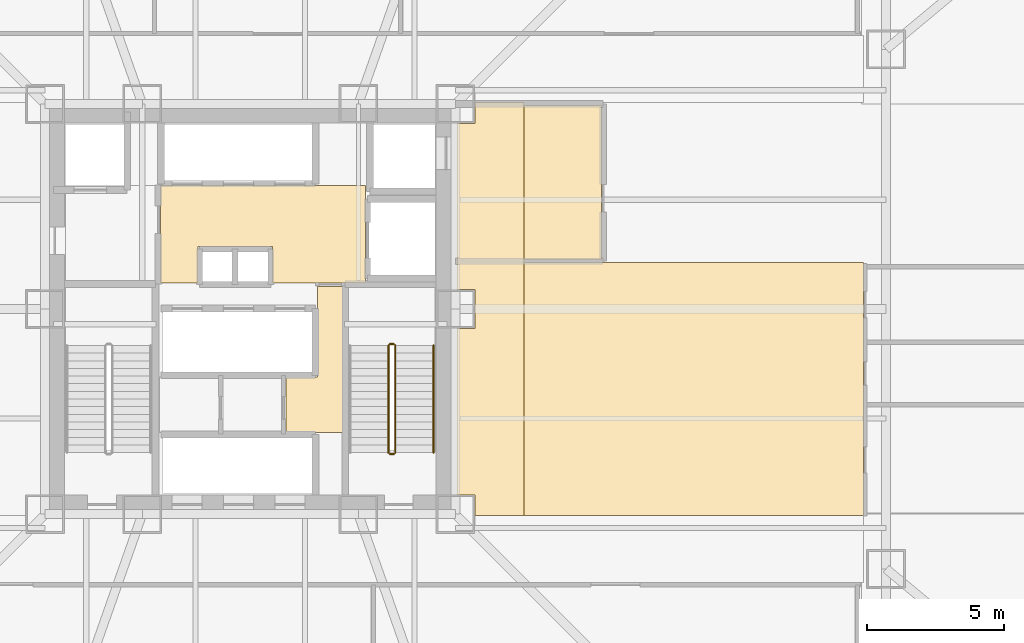
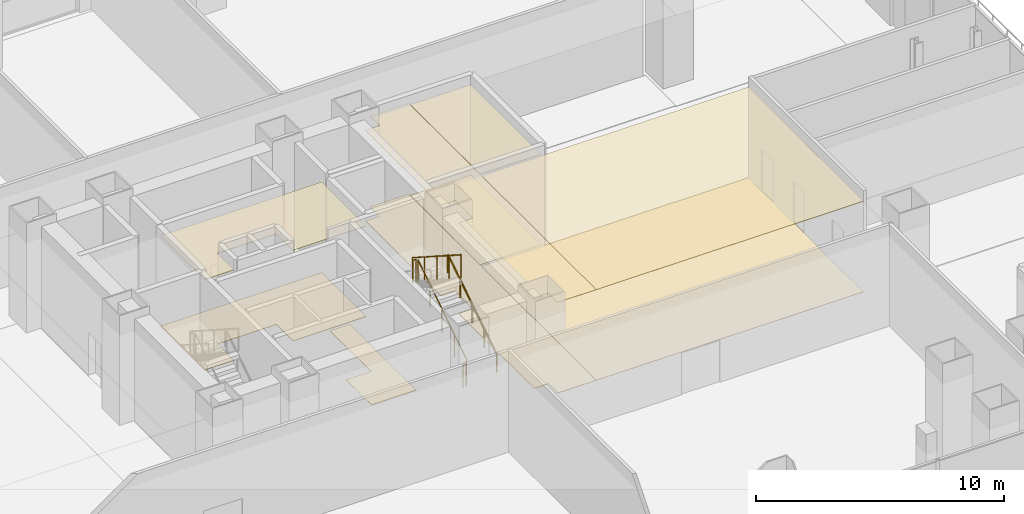
# One storey, part 31 of 36: 9 coverings, 5 railings.
"""IFC4 building model written with IfcOpenShell, lengths in metres."""

from ifc_helpers import new_model, si_unit, direction, frame, origin, origin_2d, place, context, subcontext, project, spatial, polyline, circle, outline, extrude, material, layer, layer_set, type_object, element, save


model = new_model("IFC4")

# Units and contexts
model_context = context("Model", 3, precision=1e-05, world=origin(), true_north=direction((0.0, 1.0)))
body_context = subcontext(model_context, "Body", "Model", "MODEL_VIEW")
ifc_project = project(units=[si_unit("LENGTHUNIT", "METRE"), si_unit("AREAUNIT", "SQUARE_METRE"), si_unit("VOLUMEUNIT", "CUBIC_METRE"), si_unit("PLANEANGLEUNIT", "RADIAN"), si_unit("MASSUNIT", "GRAM", prefix="KILO")], contexts=[model_context])

# Site, building, storey
site_placement = place(None, origin())
site = spatial("IfcSite", under=ifc_project, at=site_placement, CompositionType="ELEMENT")
building_placement = place(site_placement, origin())
building = spatial("IfcBuilding", under=site, at=building_placement, Name="Trevonay Congress Spire", CompositionType="ELEMENT")
storey_placement = place(building_placement, frame((0.0, 0.0, 16.199951171875)))
storey = spatial("IfcBuildingStorey", under=building, at=storey_placement, Name="L03", CompositionType="ELEMENT", Elevation=16.199951171875)

# Coverings
ifc_material_1 = material(Name="Acoustic Mineral Fibre Board", Category="gypsum")
ifc_layer_1 = layer(ifc_material_1, 0.02490234375, Name="Acoustic Mineral Fibre Board")
ifc_layer_set_1 = layer_set([ifc_layer_1], Name="Acoustic Mineral Fibre Board")
covering_type_1 = type_object("IfcCoveringType", Name="COV-CEIL-ACOUSTIC", PredefinedType="CEILING", material=ifc_layer_set_1)
covering_1_placement = place(storey_placement, frame((0.0, 0.0, 4.449951171875)))
element("IfcCovering", 1, at=covering_1_placement, inside=storey, type_object=covering_type_1, Name="L03 Central and High-Rise Passenger Lift Lobby acoustic suspended ceiling", PredefinedType="CEILING", context=body_context, shape_type="SweptSolid", body=[
    extrude(outline(polyline([(-3.280029296875, 0.949951171875), (-1.919921875, 0.949951171875), (-1.919921875, 2.280029296875), (0.820068359375, 2.280029296875), (0.820068359375, 0.949951171875), (4.219970703125, 0.949951171875), (4.219970703125, 4.52001953125), (-3.280029296875, 4.52001953125), (-3.280029296875, 0.949951171875)])), origin(), (0.0, 0.0, 1.0), 0.025146484375),
])
covering_2_placement = place(storey_placement, frame((0.0, 0.0, 4.449951171875)))
element("IfcCovering", 2, at=covering_2_placement, inside=storey, type_object=covering_type_1, Name="L03 L03 Grand Concourse East acoustic suspended ceiling", PredefinedType="CEILING", context=body_context, shape_type="SweptSolid", body=[
    extrude(outline(polyline([(10.0, -7.550048828125), (8.2099609375, -7.550048828125), (8.2099609375, -6.7900390625), (7.550048828125, -6.7900390625), (7.550048828125, -0.7099609375), (8.2099609375, -0.7099609375), (8.2099609375, 0.7099609375), (7.550048828125, 0.7099609375), (7.550048828125, 6.7900390625), (8.2099609375, 6.7900390625), (8.2099609375, 7.550048828125), (10.0, 7.550048828125), (10.0, -7.550048828125)])), origin(), (0.0, 0.0, 1.0), 0.025146484375),
])
covering_3_placement = place(storey_placement, frame((0.0, 0.0, 4.449951171875)))
element("IfcCovering", 3, at=covering_3_placement, inside=storey, type_object=covering_type_1, Name="L03 L03 East Concourse Foyer acoustic suspended ceiling", PredefinedType="CEILING", context=body_context, shape_type="SweptSolid", body=[
    extrude(outline(polyline([(10.0, -7.550048828125), (10.0, 1.699951171875), (22.419921875, 1.699951171875), (22.419921875, -7.550048828125), (10.0, -7.550048828125)])), origin(), (0.0, 0.0, 1.0), 0.025146484375),
])
covering_4_placement = place(storey_placement, frame((0.0, 0.0, 4.449951171875)))
element("IfcCovering", 4, at=covering_4_placement, inside=storey, type_object=covering_type_1, Name="L03 Firefighting Lift Lobby East acoustic suspended ceiling", PredefinedType="CEILING", context=body_context, shape_type="SweptSolid", body=[
    extrude(outline(polyline([(12.85009765625, 1.800048828125), (10.010009765625, 1.800048828125), (10.010009765625, 7.449951171875), (12.85009765625, 7.449951171875), (12.85009765625, 1.800048828125)])), origin(), (0.0, 0.0, 1.0), 0.025146484375),
])
ifc_material_2 = material(Name="Polished Granite Floor Tile", Category="masonry")
ifc_layer_2 = layer(ifc_material_2, 0.02001953125, Name="Polished Granite Floor Tile")
ifc_layer_set_2 = layer_set([ifc_layer_2], Name="Polished Granite Floor Tile")
covering_type_2 = type_object("IfcCoveringType", Name="COV-FLOOR-STONE", PredefinedType="FLOORING", material=ifc_layer_set_2)
covering_5_placement = place(storey_placement, origin())
element("IfcCovering", 5, at=covering_5_placement, inside=storey, type_object=covering_type_2, Name="L03 Central and High-Rise Passenger Lift Lobby floor finish", PredefinedType="FLOORING", context=body_context, shape_type="SweptSolid", body=[
    extrude(outline(polyline([(-3.280029296875, 0.949951171875), (-1.919921875, 0.949951171875), (-1.919921875, 2.280029296875), (0.820068359375, 2.280029296875), (0.820068359375, 0.949951171875), (4.219970703125, 0.949951171875), (4.219970703125, 4.52001953125), (-3.280029296875, 4.52001953125), (-3.280029296875, 0.949951171875)])), origin(), (0.0, 0.0, 1.0), 0.02001953125),
])
covering_6_placement = place(storey_placement, origin())
element("IfcCovering", 6, at=covering_6_placement, inside=storey, type_object=covering_type_2, Name="L03 Core Metering Room floor finish", PredefinedType="FLOORING", context=body_context, shape_type="SweptSolid", body=[
    extrude(outline(polyline([(1.300048828125, -4.52001953125), (3.3798828125, -4.52001953125), (3.3798828125, 0.820068359375), (2.4599609375, 0.820068359375), (2.4599609375, -2.47998046875), (1.300048828125, -2.47998046875), (1.300048828125, -4.52001953125)])), origin(), (0.0, 0.0, 1.0), 0.02001953125),
])
covering_7_placement = place(storey_placement, origin())
element("IfcCovering", 7, at=covering_7_placement, inside=storey, type_object=covering_type_2, Name="L03 L03 Grand Concourse East floor finish", PredefinedType="FLOORING", context=body_context, shape_type="SweptSolid", body=[
    extrude(outline(polyline([(10.0, -7.550048828125), (8.2099609375, -7.550048828125), (8.2099609375, -6.7900390625), (7.550048828125, -6.7900390625), (7.550048828125, -0.7099609375), (8.2099609375, -0.7099609375), (8.2099609375, 0.7099609375), (7.550048828125, 0.7099609375), (7.550048828125, 6.7900390625), (8.2099609375, 6.7900390625), (8.2099609375, 7.550048828125), (10.0, 7.550048828125), (10.0, -7.550048828125)])), origin(), (0.0, 0.0, 1.0), 0.02001953125),
])
covering_8_placement = place(storey_placement, origin())
element("IfcCovering", 8, at=covering_8_placement, inside=storey, type_object=covering_type_2, Name="L03 L03 East Concourse Foyer floor finish", PredefinedType="FLOORING", context=body_context, shape_type="SweptSolid", body=[
    extrude(outline(polyline([(10.0, -7.550048828125), (10.0, 1.699951171875), (22.419921875, 1.699951171875), (22.419921875, -7.550048828125), (10.0, -7.550048828125)])), origin(), (0.0, 0.0, 1.0), 0.02001953125),
])
covering_9_placement = place(storey_placement, origin())
element("IfcCovering", 9, at=covering_9_placement, inside=storey, type_object=covering_type_2, Name="L03 Firefighting Lift Lobby East floor finish", PredefinedType="FLOORING", context=body_context, shape_type="SweptSolid", body=[
    extrude(outline(polyline([(12.85009765625, 1.800048828125), (10.010009765625, 1.800048828125), (10.010009765625, 7.449951171875), (12.85009765625, 7.449951171875), (12.85009765625, 1.800048828125)])), origin(), (0.0, 0.0, 1.0), 0.02001953125),
])

# Railings
ifc_material_3 = material(Name="Pale Anodised Aluminium EN AW-6063-T6", Category="aluminium")
railing_type_1 = type_object("IfcRailingType", Name="RAL-STAIR-GUARD-110", PredefinedType="GUARDRAIL", material=ifc_material_3)
railing_1_placement = place(storey_placement, frame((5.300048828125, -5.25, 0.179931640625)))
element("IfcRailing", 10, at=railing_1_placement, inside=storey, type_object=railing_type_1, Name="L03 ST-2 stair guard 1", PredefinedType="GUARDRAIL", context=body_context, shape_type="SweptSolid", body=[
    extrude(circle(Radius=0.02392578125, at=origin_2d()), frame((0.0, 0.0, 1.1259765625), z_axis=(0.0, 0.841171666519, 0.540768182723), x_axis=(-1.0, 0.0, 0.0)), (0.0, 0.0, 1.0), 4.66015625),
    extrude(circle(Radius=0.02099609375, at=origin_2d()), origin(), (0.0, 0.0, 1.0), 1.101806640625),
    extrude(circle(Radius=0.02099609375, at=origin_2d()), frame((0.0, 0.97998046875, 0.6298828125)), (0.0, 0.0, 1.0), 1.101806640625),
    extrude(circle(Radius=0.02099609375, at=origin_2d()), frame((0.0, 1.9599609375, 1.260009765625)), (0.0, 0.0, 1.0), 1.101806640625),
    extrude(circle(Radius=0.02099609375, at=origin_2d()), frame((0.0, 2.93994140625, 1.89013671875)), (0.0, 0.0, 1.0), 1.101806640625),
    extrude(circle(Radius=0.02099609375, at=origin_2d()), frame((0.0, 3.919921875, 2.52001953125)), (0.0, 0.0, 1.0), 1.101806640625),
])
railing_2_placement = place(storey_placement, frame((5.25, -1.280029296875, 2.699951171875)))
element("IfcRailing", 11, at=railing_2_placement, inside=storey, type_object=railing_type_1, Name="L03 ST-2 stair guard 2", PredefinedType="GUARDRAIL", context=body_context, shape_type="SweptSolid", body=[
    extrude(circle(Radius=0.02392578125, at=origin_2d()), frame((0.0, 0.0, 1.1259765625), z_axis=(-1.0, 0.0, 0.0), x_axis=(0.0, -1.0, 0.0)), (0.0, 0.0, 1.0), 0.14990234375),
    extrude(circle(Radius=0.02099609375, at=origin_2d()), origin(), (0.0, 0.0, 1.0), 1.101806640625),
    extrude(circle(Radius=0.02099609375, at=origin_2d()), frame((-0.14990234375, 0.0, 0.0)), (0.0, 0.0, 1.0), 1.101806640625),
])
railing_3_placement = place(storey_placement, frame((5.050048828125, -1.330078125, 2.880126953125)))
element("IfcRailing", 12, at=railing_3_placement, inside=storey, type_object=railing_type_1, Name="L03 ST-2 stair guard 3", PredefinedType="GUARDRAIL", context=body_context, shape_type="SweptSolid", body=[
    extrude(circle(Radius=0.02392578125, at=origin_2d()), frame((0.0, 0.0, 1.1259765625), z_axis=(0.0, -0.841171666519, 0.540768182723), x_axis=(1.0, 0.0, 0.0)), (0.0, 0.0, 1.0), 4.66015625),
    extrude(circle(Radius=0.02099609375, at=origin_2d()), origin(), (0.0, 0.0, 1.0), 1.101806640625),
    extrude(circle(Radius=0.02099609375, at=origin_2d()), frame((0.0, -0.97998046875, 0.6298828125)), (0.0, 0.0, 1.0), 1.101806640625),
    extrude(circle(Radius=0.02099609375, at=origin_2d()), frame((0.0, -1.9599609375, 1.260009765625)), (0.0, 0.0, 1.0), 1.101806640625),
    extrude(circle(Radius=0.02099609375, at=origin_2d()), frame((0.0, -2.93994140625, 1.89013671875)), (0.0, 0.0, 1.0), 1.101806640625),
    extrude(circle(Radius=0.02099609375, at=origin_2d()), frame((0.0, -3.919921875, 2.52001953125)), (0.0, 0.0, 1.0), 1.101806640625),
])
railing_4_placement = place(storey_placement, frame((5.25, -5.300048828125, 0.0)))
element("IfcRailing", 13, at=railing_4_placement, inside=storey, type_object=railing_type_1, Name="L03 ST-2 stair guard 4", PredefinedType="GUARDRAIL", context=body_context, shape_type="SweptSolid", body=[
    extrude(circle(Radius=0.02392578125, at=origin_2d()), frame((0.0, 0.0, 1.1259765625), z_axis=(-1.0, 0.0, 0.0), x_axis=(0.0, -1.0, 0.0)), (0.0, 0.0, 1.0), 0.14990234375),
    extrude(circle(Radius=0.02099609375, at=origin_2d()), origin(), (0.0, 0.0, 1.0), 1.101806640625),
    extrude(circle(Radius=0.02099609375, at=origin_2d()), frame((-0.14990234375, 0.0, 0.0)), (0.0, 0.0, 1.0), 1.101806640625),
])
railing_type_2 = type_object("IfcRailingType", Name="RAL-STAIR-HANDRAIL", PredefinedType="HANDRAIL", material=ifc_material_3)
railing_5_placement = place(storey_placement, frame((6.699951171875, -5.25, 0.179931640625)))
element("IfcRailing", 14, at=railing_5_placement, inside=storey, type_object=railing_type_2, Name="L03 ST-2 stair handrail 1", PredefinedType="HANDRAIL", context=body_context, shape_type="SweptSolid", body=[
    extrude(circle(Radius=0.02392578125, at=origin_2d()), frame((0.0, 0.0, 0.8759765625), z_axis=(0.0, 0.841171666519, 0.540768182723), x_axis=(-1.0, 0.0, 0.0)), (0.0, 0.0, 1.0), 4.66015625),
    extrude(circle(Radius=0.02099609375, at=origin_2d()), origin(), (0.0, 0.0, 1.0), 0.851806640625),
    extrude(circle(Radius=0.02099609375, at=origin_2d()), frame((0.0, 0.97998046875, 0.6298828125)), (0.0, 0.0, 1.0), 0.851806640625),
    extrude(circle(Radius=0.02099609375, at=origin_2d()), frame((0.0, 1.9599609375, 1.260009765625)), (0.0, 0.0, 1.0), 0.851806640625),
    extrude(circle(Radius=0.02099609375, at=origin_2d()), frame((0.0, 2.93994140625, 1.89013671875)), (0.0, 0.0, 1.0), 0.851806640625),
    extrude(circle(Radius=0.02099609375, at=origin_2d()), frame((0.0, 3.919921875, 2.52001953125)), (0.0, 0.0, 1.0), 0.851806640625),
])

save(model, "model.ifc")
